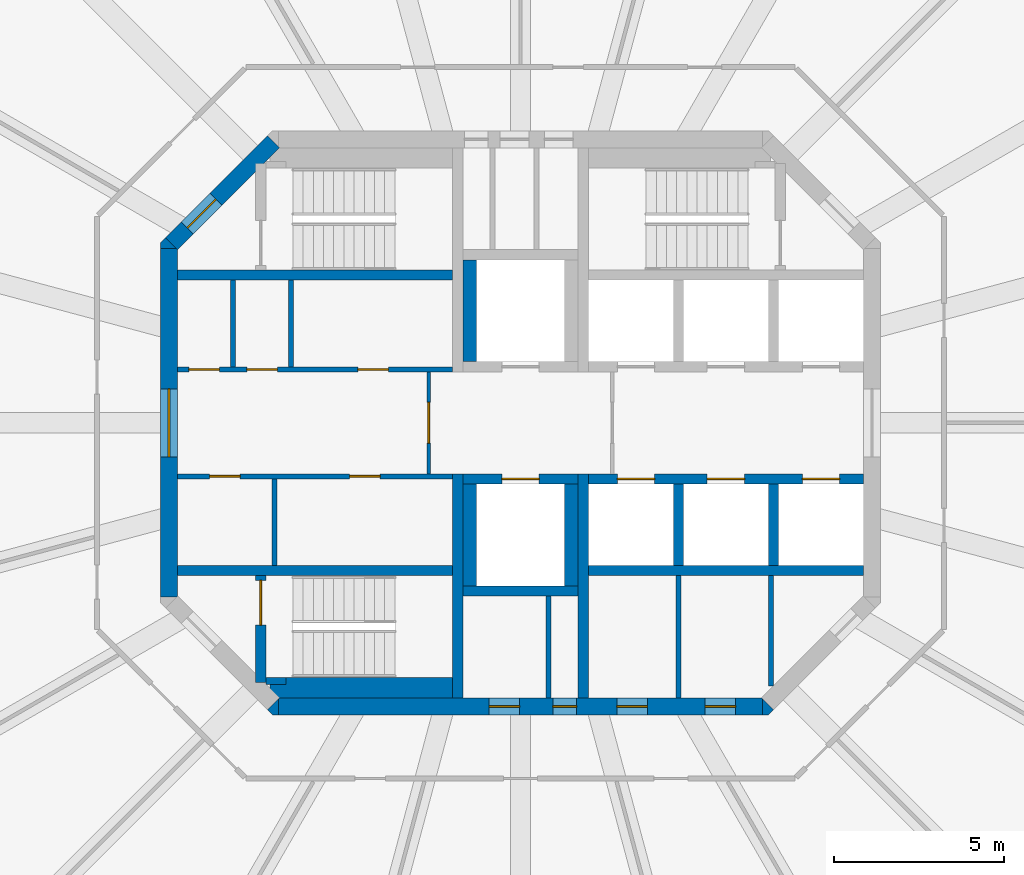
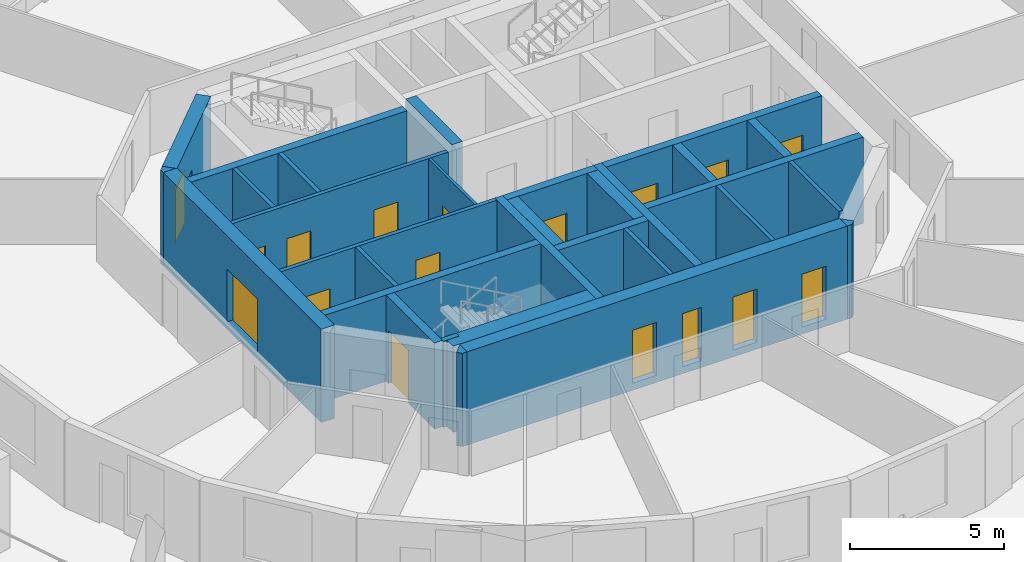
# One storey, part 3 of 8: 31 walls, 17 doors, 17 openings.
"""IFC4 building model written with IfcOpenShell, lengths in metres."""

from ifc_helpers import new_model, si_unit, direction, frame, frame_2d, origin, place, context, subcontext, project, spatial, polyline, rectangle, outline, extrude, material, layer, layer_set, type_object, element, fill, save


model = new_model("IFC4")

# Units and contexts
model_context = context("Model", 3, precision=1e-05, world=origin(), true_north=direction((0.0, 1.0)))
body_context = subcontext(model_context, "Body", "Model", "MODEL_VIEW")
ifc_project = project(units=[si_unit("LENGTHUNIT", "METRE"), si_unit("AREAUNIT", "SQUARE_METRE"), si_unit("VOLUMEUNIT", "CUBIC_METRE"), si_unit("PLANEANGLEUNIT", "RADIAN"), si_unit("MASSUNIT", "GRAM", prefix="KILO")], contexts=[model_context])

# Site, building, storey
site_placement = place(None, origin())
site = spatial("IfcSite", under=ifc_project, at=site_placement, CompositionType="ELEMENT")
building_placement = place(site_placement, origin())
building = spatial("IfcBuilding", under=site, at=building_placement, Name="Torre Triforio", CompositionType="ELEMENT")
storey_placement = place(building_placement, frame((0.0, 0.0, 257.5)))
storey = spatial("IfcBuildingStorey", under=building, at=storey_placement, Name="L59", CompositionType="ELEMENT", Elevation=257.5)

# Walls
ifc_material_1 = material(Name="Concrete C40", Category="concrete")
ifc_layer_1 = layer(ifc_material_1, 0.300048828125)
ifc_layer_set_1 = layer_set([ifc_layer_1], Name="Concrete C40")
wall_type_1 = type_object("IfcWallType", Name="Core wall 300 mm C40 EI 120", PredefinedType="SHEAR", material=ifc_layer_set_1)
for number, where, z_axis, x_axis, name in (
    (1, (-1.85009765625, -8.10009765625, 0.0), (0.0, 0.0, 1.0), (0.0, 1.0, 0.0), "Core wall"),
    (2, (1.85009765625, -8.10009765625, 0.0), (0.0, 0.0, 1.0), (0.0, 1.0, 0.0), "Core wall"),
):
    element("IfcWall", number, at=place(storey_placement, frame(where, z_axis=z_axis, x_axis=x_axis)), inside=storey, type_object=wall_type_1, Name=name, PredefinedType="SHEAR", context=body_context, shape_type="SweptSolid", body=[
        extrude(rectangle(XDim=6.60009765625, YDim=0.300048828125, at=frame_2d((3.300048828125, 0.0))), origin(), (0.0, 0.0, 1.0), 3.419921875),
    ])

# Wall, openings, doors
ifc_layer_2 = layer(ifc_material_1, 0.5)
ifc_layer_set_2 = layer_set([ifc_layer_2], Name="Concrete C40")
wall_type_2 = type_object("IfcWallType", Name="Core wall 500 mm C40 EI 120", PredefinedType="SHEAR", material=ifc_layer_set_2)
wall_1_placement = place(storey_placement, frame((-7.1298828125, -8.35009765625, -0.280029296875), z_axis=(0.0, 0.0, 1.0), x_axis=(1.0, 0.0, 0.0)))
wall_1 = element("IfcWall", 3, at=wall_1_placement, inside=storey, type_object=wall_type_2, Name="Core wall", PredefinedType="SHEAR", context=body_context, shape_type="SweptSolid", body=[
    extrude(rectangle(XDim=14.259765625, YDim=0.5, at=frame_2d((7.1298828125, 0.0))), origin(), (0.0, 0.0, 1.0), 3.699951171875),
])
opening_1_placement = place(wall_1_placement, frame((8.080078125, 0.0, 0.280029296875)))
opening_1 = element("IfcOpeningElement", 4, at=opening_1_placement, cuts=wall_1, Name="Opening RISER-S", PredefinedType="OPENING", context=body_context, shape_type="SweptSolid", body=[
    extrude(rectangle(XDim=0.699951171875, YDim=2.10009765625, at=frame_2d((0.35009765625, 1.050048828125))), frame((0.0, 0.260009765625, 0.0), z_axis=(0.0, -1.0, 0.0), x_axis=(1.0, 0.0, 0.0)), (0.0, 0.0, 1.0), 0.52001953125),
])
opening_2_placement = place(wall_1_placement, frame((6.205078125, 0.0, 0.280029296875)))
opening_2 = element("IfcOpeningElement", 5, at=opening_2_placement, cuts=wall_1, Name="Opening SW-01B", PredefinedType="OPENING", context=body_context, shape_type="SweptSolid", body=[
    extrude(rectangle(XDim=0.89990234375, YDim=2.10009765625, at=frame_2d((0.449951171875, 1.050048828125))), frame((0.0, 0.260009765625, 0.0), z_axis=(0.0, -1.0, 0.0), x_axis=(1.0, 0.0, 0.0)), (0.0, 0.0, 1.0), 0.52001953125),
])
opening_3_placement = place(wall_1_placement, frame((9.967041015625, 0.0, 0.280029296875)))
opening_3 = element("IfcOpeningElement", 6, at=opening_3_placement, cuts=wall_1, Name="Opening SE-01A", PredefinedType="OPENING", context=body_context, shape_type="SweptSolid", body=[
    extrude(rectangle(XDim=0.89990234375, YDim=2.10009765625, at=frame_2d((0.449951171875, 1.050048828125))), frame((0.0, 0.260009765625, 0.0), z_axis=(0.0, -1.0, 0.0), x_axis=(1.0, 0.0, 0.0)), (0.0, 0.0, 1.0), 0.52001953125),
])
opening_4_placement = place(wall_1_placement, frame((12.56689453125, 0.0, 0.280029296875)))
opening_4 = element("IfcOpeningElement", 7, at=opening_4_placement, cuts=wall_1, Name="Opening SE-02", PredefinedType="OPENING", context=body_context, shape_type="SweptSolid", body=[
    extrude(rectangle(XDim=0.89990234375, YDim=2.10009765625, at=frame_2d((0.449951171875, 1.050048828125))), frame((0.0, 0.260009765625, 0.0), z_axis=(0.0, -1.0, 0.0), x_axis=(1.0, 0.0, 0.0)), (0.0, 0.0, 1.0), 0.52001953125),
])
ifc_material_2 = material(Name="Hollow metal fire door leaf")
door_type_1 = type_object("IfcDoorType", Name="Riser door 700 x 2100 EI 60", OperationType="NOTDEFINED", PredefinedType="DOOR", material=ifc_material_2)
door_1_placement = place(opening_1_placement, origin())
door_1 = element("IfcDoor", 8, at=door_1_placement, inside=storey, type_object=door_type_1, Name="Core door RISER-S", OperationType="SINGLE_SWING_RIGHT", OverallHeight=2.10009765625, OverallWidth=0.699951171875, PredefinedType="DOOR", context=body_context, shape_type="SweptSolid", body=[
    extrude(rectangle(XDim=0.699951171875, YDim=2.10009765625, at=frame_2d((0.35009765625, 1.050048828125))), frame((0.0, 0.02490234375, 0.0), z_axis=(0.0, -1.0, 0.0), x_axis=(1.0, 0.0, 0.0)), (0.0, 0.0, 1.0), 0.050048828125),
])
fill(opening_1, door_1)
door_type_2 = type_object("IfcDoorType", Name="Room door 900 x 2100 EI 60", OperationType="NOTDEFINED", PredefinedType="DOOR", material=ifc_material_2)
door_2_placement = place(opening_2_placement, origin())
door_2 = element("IfcDoor", 9, at=door_2_placement, inside=storey, type_object=door_type_2, Name="Core door SW-01", OperationType="SINGLE_SWING_LEFT", OverallHeight=2.10009765625, OverallWidth=0.89990234375, PredefinedType="DOOR", context=body_context, shape_type="SweptSolid", body=[
    extrude(rectangle(XDim=0.89990234375, YDim=2.10009765625, at=frame_2d((0.449951171875, 1.050048828125))), frame((0.0, 0.02490234375, 0.0), z_axis=(0.0, -1.0, 0.0), x_axis=(1.0, 0.0, 0.0)), (0.0, 0.0, 1.0), 0.050048828125),
])
fill(opening_2, door_2)
door_3_placement = place(opening_3_placement, origin())
door_3 = element("IfcDoor", 10, at=door_3_placement, inside=storey, type_object=door_type_2, Name="Core door SE-01", OperationType="SINGLE_SWING_LEFT", OverallHeight=2.10009765625, OverallWidth=0.89990234375, PredefinedType="DOOR", context=body_context, shape_type="SweptSolid", body=[
    extrude(rectangle(XDim=0.89990234375, YDim=2.10009765625, at=frame_2d((0.449951171875, 1.050048828125))), frame((0.0, 0.02490234375, 0.0), z_axis=(0.0, -1.0, 0.0), x_axis=(1.0, 0.0, 0.0)), (0.0, 0.0, 1.0), 0.050048828125),
])
fill(opening_3, door_3)
door_4_placement = place(opening_4_placement, origin())
door_4 = element("IfcDoor", 11, at=door_4_placement, inside=storey, type_object=door_type_2, Name="Core door SE-02", OperationType="SINGLE_SWING_LEFT", OverallHeight=2.10009765625, OverallWidth=0.89990234375, PredefinedType="DOOR", context=body_context, shape_type="SweptSolid", body=[
    extrude(rectangle(XDim=0.89990234375, YDim=2.10009765625, at=frame_2d((0.449951171875, 1.050048828125))), frame((0.0, 0.02490234375, 0.0), z_axis=(0.0, -1.0, 0.0), x_axis=(1.0, 0.0, 0.0)), (0.0, 0.0, 1.0), 0.050048828125),
])
fill(opening_4, door_4)

# Wall, opening, door
wall_2_placement = place(storey_placement, frame((-10.35009765625, -5.1298828125, -0.280029296875), z_axis=(0.0, 0.0, 1.0), x_axis=(0.0, 1.0, 0.0)))
wall_2 = element("IfcWall", 12, at=wall_2_placement, inside=storey, type_object=wall_type_2, Name="Core wall", PredefinedType="SHEAR", context=body_context, shape_type="SweptSolid", body=[
    extrude(rectangle(XDim=10.259765625, YDim=0.5, at=frame_2d((5.1298828125, 0.0))), origin(), (0.0, 0.0, 1.0), 3.699951171875),
])
opening_5_placement = place(wall_2_placement, frame((4.1298828125, 0.0, 0.280029296875)))
opening_5 = element("IfcOpeningElement", 13, at=opening_5_placement, cuts=wall_2, Name="Opening W-RING", PredefinedType="OPENING", context=body_context, shape_type="SweptSolid", body=[
    extrude(rectangle(XDim=2.0, YDim=2.10009765625, at=frame_2d((1.0, 1.050048828125))), frame((0.0, 0.260009765625, 0.0), z_axis=(0.0, -1.0, 0.0), x_axis=(1.0, 0.0, 0.0)), (0.0, 0.0, 1.0), 0.52001953125),
])
door_type_3 = type_object("IfcDoorType", Name="Lobby door 2000 x 2100 EI 60", OperationType="DOUBLE_DOOR_SINGLE_SWING", PredefinedType="DOOR", material=ifc_material_2)
door_5_placement = place(opening_5_placement, origin())
door_5 = element("IfcDoor", 14, at=door_5_placement, inside=storey, type_object=door_type_3, Name="Core door W-RING", OperationType="DOUBLE_DOOR_SINGLE_SWING", OverallHeight=2.10009765625, OverallWidth=2.0, PredefinedType="DOOR", context=body_context, shape_type="SweptSolid", body=[
    extrude(rectangle(XDim=2.0, YDim=2.10009765625, at=frame_2d((1.0, 1.050048828125))), frame((0.0, 0.02490234375, 0.0), z_axis=(0.0, -1.0, 0.0), x_axis=(1.0, 0.0, 0.0)), (0.0, 0.0, 1.0), 0.050048828125),
])
fill(opening_5, door_5)

wall_3_placement = place(storey_placement, frame((-10.27685546875, 5.27685546875, -0.280029296875), z_axis=(0.0, 0.0, 1.0), x_axis=(0.707106781187, 0.707106781187, 0.0)))
wall_3 = element("IfcWall", 15, at=wall_3_placement, inside=storey, type_object=wall_type_2, Name="Core wall", PredefinedType="SHEAR", context=body_context, shape_type="SweptSolid", body=[
    extrude(rectangle(XDim=4.24267578125, YDim=0.5, at=frame_2d((2.121337890625, 0.0))), origin(), (0.0, 0.0, 1.0), 3.699951171875),
])
opening_6_placement = place(wall_3_placement, frame((0.64990234375, 0.0, 0.280029296875)))
opening_6 = element("IfcOpeningElement", 16, at=opening_6_placement, cuts=wall_3, Name="Opening ST1-EXIT", PredefinedType="OPENING", context=body_context, shape_type="SweptSolid", body=[
    extrude(rectangle(XDim=1.199951171875, YDim=2.10009765625, at=frame_2d((0.60009765625, 1.050048828125))), frame((0.0, 0.260009765625, 0.0), z_axis=(0.0, -1.0, 0.0), x_axis=(1.0, 0.0, 0.0)), (0.0, 0.0, 1.0), 0.52001953125),
])
door_type_4 = type_object("IfcDoorType", Name="Stair lobby door 1200 x 2100 EI 60", OperationType="NOTDEFINED", PredefinedType="DOOR", material=ifc_material_2)
door_6_placement = place(opening_6_placement, origin())
door_6 = element("IfcDoor", 17, at=door_6_placement, inside=storey, type_object=door_type_4, Name="Core door ST1-EXIT", OperationType="SINGLE_SWING_RIGHT", OverallHeight=2.10009765625, OverallWidth=1.199951171875, PredefinedType="DOOR", context=body_context, shape_type="SweptSolid", body=[
    extrude(rectangle(XDim=1.199951171875, YDim=2.10009765625, at=frame_2d((0.60009765625, 1.050048828125))), frame((0.0, 0.02490234375, 0.0), z_axis=(0.0, -1.0, 0.0), x_axis=(1.0, 0.0, 0.0)), (0.0, 0.0, 1.0), 0.050048828125),
])
fill(opening_6, door_6)

# Walls
wall_4_placement = place(storey_placement, frame((0.0, 0.0, -0.280029296875)))
element("IfcWall", 18, at=wall_4_placement, inside=storey, type_object=wall_type_2, Name="Core wall", PredefinedType="SHEAR", context=body_context, shape_type="SweptSolid", body=[
    extrude(outline(polyline([(-7.30712890625, -8.60009765625), (-7.45361328125, -8.45361328125), (-7.1298828125, -8.1298828125), (-7.1298828125, -8.60009765625), (-7.30712890625, -8.60009765625)])), origin(), (0.0, 0.0, 1.0), 3.699951171875),
])
wall_5_placement = place(storey_placement, frame((0.0, 0.0, -0.280029296875)))
element("IfcWall", 19, at=wall_5_placement, inside=storey, type_object=wall_type_2, Name="Core wall", PredefinedType="SHEAR", context=body_context, shape_type="SweptSolid", body=[
    extrude(outline(polyline([(7.30712890625, -8.60009765625), (7.1298828125, -8.60009765625), (7.1298828125, -8.1298828125), (7.45361328125, -8.45361328125), (7.30712890625, -8.60009765625)])), origin(), (0.0, 0.0, 1.0), 3.699951171875),
])
wall_6_placement = place(storey_placement, frame((0.0, 0.0, -0.280029296875)))
element("IfcWall", 20, at=wall_6_placement, inside=storey, type_object=wall_type_2, Name="Core wall", PredefinedType="SHEAR", context=body_context, shape_type="SweptSolid", body=[
    extrude(outline(polyline([(-10.45361328125, 5.45361328125), (-10.1298828125, 5.1298828125), (-10.60009765625, 5.1298828125), (-10.60009765625, 5.30712890625), (-10.45361328125, 5.45361328125)])), origin(), (0.0, 0.0, 1.0), 3.699951171875),
])

# Wall, opening, door
ifc_material_3 = material(Name="Block and board partition")
ifc_layer_3 = layer(ifc_material_3, 0.10009765625)
ifc_layer_set_3 = layer_set([ifc_layer_3], Name="Block and board partition")
wall_type_3 = type_object("IfcWallType", Name="Partition 100 mm EI 120", PredefinedType="PARTITIONING", material=ifc_layer_set_3)
wall_7_placement = place(storey_placement, frame((-2.699951171875, -1.5, 0.0), z_axis=(0.0, 0.0, 1.0), x_axis=(0.0, 1.0, 0.0)))
wall_7 = element("IfcWall", 21, at=wall_7_placement, inside=storey, type_object=wall_type_3, Name="Partition", PredefinedType="PARTITIONING", context=body_context, shape_type="SweptSolid", body=[
    extrude(rectangle(XDim=3.0, YDim=0.10009765625, at=frame_2d((1.5, 0.0))), origin(), (0.0, 0.0, 1.0), 3.419921875),
])
opening_7_placement = place(wall_7_placement, frame((0.89990234375, 0.0, 0.0)))
opening_7 = element("IfcOpeningElement", 22, at=opening_7_placement, cuts=wall_7, Name="Opening FF-W", PredefinedType="OPENING", context=body_context, shape_type="SweptSolid", body=[
    extrude(rectangle(XDim=1.199951171875, YDim=2.10009765625, at=frame_2d((0.60009765625, 1.050048828125))), frame((0.0, 0.06005859375, 0.0), z_axis=(0.0, -1.0, 0.0), x_axis=(1.0, 0.0, 0.0)), (0.0, 0.0, 1.0), 0.1201171875),
])
door_type_5 = type_object("IfcDoorType", Name="Fire-fighting lobby door 1200 x 2100 EI 60", OperationType="NOTDEFINED", PredefinedType="DOOR", material=ifc_material_2)
door_7_placement = place(opening_7_placement, origin())
door_7 = element("IfcDoor", 23, at=door_7_placement, inside=storey, type_object=door_type_5, Name="Core door FF-W", OperationType="SINGLE_SWING_LEFT", OverallHeight=2.10009765625, OverallWidth=1.199951171875, PredefinedType="DOOR", context=body_context, shape_type="SweptSolid", body=[
    extrude(rectangle(XDim=1.199951171875, YDim=2.10009765625, at=frame_2d((0.60009765625, 1.050048828125))), frame((0.0, 0.02490234375, 0.0), z_axis=(0.0, -1.0, 0.0), x_axis=(1.0, 0.0, 0.0)), (0.0, 0.0, 1.0), 0.050048828125),
])
fill(opening_7, door_7)

# Walls
ifc_layer_4 = layer(ifc_material_3, 0.14990234375)
ifc_layer_set_4 = layer_set([ifc_layer_4], Name="Block and board partition")
wall_type_4 = type_object("IfcWallType", Name="Partition 150 mm", PredefinedType="PARTITIONING", material=ifc_layer_set_4)
wall_8_placement = place(storey_placement, frame((4.64892578125, -8.10009765625, 0.0), z_axis=(0.0, 0.0, 1.0), x_axis=(0.0, 1.0, 0.0)))
element("IfcWall", 24, at=wall_8_placement, inside=storey, type_object=wall_type_4, Name="Partition", PredefinedType="PARTITIONING", context=body_context, shape_type="SweptSolid", body=[
    extrude(rectangle(XDim=3.60009765625, YDim=0.14990234375, at=frame_2d((1.800048828125, 0.0))), origin(), (0.0, 0.0, 1.0), 3.419921875),
])
wall_9_placement = place(storey_placement, frame((7.373046875, -7.751953125, 0.0), z_axis=(0.0, 0.0, 1.0), x_axis=(0.0, 1.0, 0.0)))
element("IfcWall", 25, at=wall_9_placement, inside=storey, type_object=wall_type_4, Name="Partition", PredefinedType="PARTITIONING", context=body_context, shape_type="SweptSolid", body=[
    extrude(rectangle(XDim=3.251953125, YDim=0.14990234375, at=frame_2d((1.6259765625, 0.0))), origin(), (0.0, 0.0, 1.0), 3.419921875),
])
for number, where, z_axis, x_axis, name in (
    (26, (-8.465087890625, 1.64990234375, 0.0), (0.0, 0.0, 1.0), (0.0, 1.0, 0.0), "Partition"),
    (27, (-6.7548828125, 1.64990234375, 0.0), (0.0, 0.0, 1.0), (0.0, 1.0, 0.0), "Partition"),
    (28, (-7.242431640625, -4.199951171875, 0.0), (0.0, 0.0, 1.0), (0.0, 1.0, 0.0), "Partition"),
):
    element("IfcWall", number, at=place(storey_placement, frame(where, z_axis=z_axis, x_axis=x_axis)), inside=storey, type_object=wall_type_4, Name=name, PredefinedType="PARTITIONING", context=body_context, shape_type="SweptSolid", body=[
        extrude(rectangle(XDim=2.550048828125, YDim=0.14990234375, at=frame_2d((1.27490234375, 0.0))), origin(), (0.0, 0.0, 1.0), 3.419921875),
    ])
ifc_layer_5 = layer(ifc_material_3, 0.14990234375)
ifc_layer_set_5 = layer_set([ifc_layer_5], Name="Block and board partition")
wall_type_5 = type_object("IfcWallType", Name="Partition 150 mm EI 120", PredefinedType="PARTITIONING", material=ifc_layer_set_5)
wall_10_placement = place(storey_placement, frame((0.824951171875, -8.10009765625, 0.0), z_axis=(0.0, 0.0, 1.0), x_axis=(0.0, 1.0, 0.0)))
element("IfcWall", 29, at=wall_10_placement, inside=storey, type_object=wall_type_5, Name="Partition", PredefinedType="PARTITIONING", context=body_context, shape_type="SweptSolid", body=[
    extrude(rectangle(XDim=3.0, YDim=0.14990234375, at=frame_2d((1.5, 0.0))), origin(), (0.0, 0.0, 1.0), 3.419921875),
])

# Wall, openings, doors
wall_11_placement = place(storey_placement, frame((-10.10009765625, 1.574951171875, 0.0), z_axis=(0.0, 0.0, 1.0), x_axis=(1.0, 0.0, 0.0)))
wall_11 = element("IfcWall", 30, at=wall_11_placement, inside=storey, type_object=wall_type_5, Name="Partition", PredefinedType="PARTITIONING", context=body_context, shape_type="SweptSolid", body=[
    extrude(rectangle(XDim=8.10009765625, YDim=0.14990234375, at=frame_2d((4.050048828125, 0.0))), origin(), (0.0, 0.0, 1.0), 3.419921875),
])
opening_8_placement = place(wall_11_placement, frame((0.330078125, 0.0, 0.0)))
opening_8 = element("IfcOpeningElement", 31, at=opening_8_placement, cuts=wall_11, Name="Opening FN-01", PredefinedType="OPENING", context=body_context, shape_type="SweptSolid", body=[
    extrude(rectangle(XDim=0.89990234375, YDim=2.10009765625, at=frame_2d((0.449951171875, 1.050048828125))), frame((0.0, 0.0849609375, 0.0), z_axis=(0.0, -1.0, 0.0), x_axis=(1.0, 0.0, 0.0)), (0.0, 0.0, 1.0), 0.169921875),
])
opening_9_placement = place(wall_11_placement, frame((2.0400390625, 0.0, 0.0)))
opening_9 = element("IfcOpeningElement", 32, at=opening_9_placement, cuts=wall_11, Name="Opening FN-02", PredefinedType="OPENING", context=body_context, shape_type="SweptSolid", body=[
    extrude(rectangle(XDim=0.89990234375, YDim=2.10009765625, at=frame_2d((0.449951171875, 1.050048828125))), frame((0.0, 0.0849609375, 0.0), z_axis=(0.0, -1.0, 0.0), x_axis=(1.0, 0.0, 0.0)), (0.0, 0.0, 1.0), 0.169921875),
])
opening_10_placement = place(wall_11_placement, frame((5.31005859375, 0.0, 0.0)))
opening_10 = element("IfcOpeningElement", 33, at=opening_10_placement, cuts=wall_11, Name="Opening FN-03", PredefinedType="OPENING", context=body_context, shape_type="SweptSolid", body=[
    extrude(rectangle(XDim=0.89990234375, YDim=2.10009765625, at=frame_2d((0.449951171875, 1.050048828125))), frame((0.0, 0.0849609375, 0.0), z_axis=(0.0, -1.0, 0.0), x_axis=(1.0, 0.0, 0.0)), (0.0, 0.0, 1.0), 0.169921875),
])
door_8_placement = place(opening_8_placement, origin())
door_8 = element("IfcDoor", 34, at=door_8_placement, inside=storey, type_object=door_type_2, Name="Core door FN-01", OperationType="SINGLE_SWING_RIGHT", OverallHeight=2.10009765625, OverallWidth=0.89990234375, PredefinedType="DOOR", context=body_context, shape_type="SweptSolid", body=[
    extrude(rectangle(XDim=0.89990234375, YDim=2.10009765625, at=frame_2d((0.449951171875, 1.050048828125))), frame((0.0, 0.02490234375, 0.0), z_axis=(0.0, -1.0, 0.0), x_axis=(1.0, 0.0, 0.0)), (0.0, 0.0, 1.0), 0.050048828125),
])
fill(opening_8, door_8)
door_9_placement = place(opening_9_placement, origin())
door_9 = element("IfcDoor", 35, at=door_9_placement, inside=storey, type_object=door_type_2, Name="Core door FN-02", OperationType="SINGLE_SWING_RIGHT", OverallHeight=2.10009765625, OverallWidth=0.89990234375, PredefinedType="DOOR", context=body_context, shape_type="SweptSolid", body=[
    extrude(rectangle(XDim=0.89990234375, YDim=2.10009765625, at=frame_2d((0.449951171875, 1.050048828125))), frame((0.0, 0.02490234375, 0.0), z_axis=(0.0, -1.0, 0.0), x_axis=(1.0, 0.0, 0.0)), (0.0, 0.0, 1.0), 0.050048828125),
])
fill(opening_9, door_9)
door_10_placement = place(opening_10_placement, origin())
door_10 = element("IfcDoor", 36, at=door_10_placement, inside=storey, type_object=door_type_2, Name="Core door FN-03", OperationType="SINGLE_SWING_RIGHT", OverallHeight=2.10009765625, OverallWidth=0.89990234375, PredefinedType="DOOR", context=body_context, shape_type="SweptSolid", body=[
    extrude(rectangle(XDim=0.89990234375, YDim=2.10009765625, at=frame_2d((0.449951171875, 1.050048828125))), frame((0.0, 0.02490234375, 0.0), z_axis=(0.0, -1.0, 0.0), x_axis=(1.0, 0.0, 0.0)), (0.0, 0.0, 1.0), 0.050048828125),
])
fill(opening_10, door_10)

wall_12_placement = place(storey_placement, frame((-10.10009765625, -1.574951171875, 0.0), z_axis=(0.0, 0.0, 1.0), x_axis=(1.0, 0.0, 0.0)))
wall_12 = element("IfcWall", 37, at=wall_12_placement, inside=storey, type_object=wall_type_5, Name="Partition", PredefinedType="PARTITIONING", context=body_context, shape_type="SweptSolid", body=[
    extrude(rectangle(XDim=8.10009765625, YDim=0.14990234375, at=frame_2d((4.050048828125, 0.0))), origin(), (0.0, 0.0, 1.0), 3.419921875),
])
opening_11_placement = place(wall_12_placement, frame((0.941162109375, 0.0, 0.0)))
opening_11 = element("IfcOpeningElement", 38, at=opening_11_placement, cuts=wall_12, Name="Opening FS-01", PredefinedType="OPENING", context=body_context, shape_type="SweptSolid", body=[
    extrude(rectangle(XDim=0.89990234375, YDim=2.10009765625, at=frame_2d((0.449951171875, 1.050048828125))), frame((0.0, 0.0849609375, 0.0), z_axis=(0.0, -1.0, 0.0), x_axis=(1.0, 0.0, 0.0)), (0.0, 0.0, 1.0), 0.169921875),
])
opening_12_placement = place(wall_12_placement, frame((5.066162109375, 0.0, 0.0)))
opening_12 = element("IfcOpeningElement", 39, at=opening_12_placement, cuts=wall_12, Name="Opening FS-02", PredefinedType="OPENING", context=body_context, shape_type="SweptSolid", body=[
    extrude(rectangle(XDim=0.89990234375, YDim=2.10009765625, at=frame_2d((0.449951171875, 1.050048828125))), frame((0.0, 0.0849609375, 0.0), z_axis=(0.0, -1.0, 0.0), x_axis=(1.0, 0.0, 0.0)), (0.0, 0.0, 1.0), 0.169921875),
])
door_11_placement = place(opening_11_placement, origin())
door_11 = element("IfcDoor", 40, at=door_11_placement, inside=storey, type_object=door_type_2, Name="Core door FS-01", OperationType="SINGLE_SWING_LEFT", OverallHeight=2.10009765625, OverallWidth=0.89990234375, PredefinedType="DOOR", context=body_context, shape_type="SweptSolid", body=[
    extrude(rectangle(XDim=0.89990234375, YDim=2.10009765625, at=frame_2d((0.449951171875, 1.050048828125))), frame((0.0, 0.02490234375, 0.0), z_axis=(0.0, -1.0, 0.0), x_axis=(1.0, 0.0, 0.0)), (0.0, 0.0, 1.0), 0.050048828125),
])
fill(opening_11, door_11)
door_12_placement = place(opening_12_placement, origin())
door_12 = element("IfcDoor", 41, at=door_12_placement, inside=storey, type_object=door_type_2, Name="Core door FS-02", OperationType="SINGLE_SWING_LEFT", OverallHeight=2.10009765625, OverallWidth=0.89990234375, PredefinedType="DOOR", context=body_context, shape_type="SweptSolid", body=[
    extrude(rectangle(XDim=0.89990234375, YDim=2.10009765625, at=frame_2d((0.449951171875, 1.050048828125))), frame((0.0, 0.02490234375, 0.0), z_axis=(0.0, -1.0, 0.0), x_axis=(1.0, 0.0, 0.0)), (0.0, 0.0, 1.0), 0.050048828125),
])
fill(opening_12, door_12)

# Walls
ifc_layer_6 = layer(ifc_material_1, 0.300048828125)
ifc_layer_set_6 = layer_set([ifc_layer_6], Name="Concrete C40")
wall_type_6 = type_object("IfcWallType", Name="Shaft wall 300 mm C40 EI 120", PredefinedType="SOLIDWALL", material=ifc_layer_set_6)
for number, where, z_axis, x_axis, name in (
    (42, (-10.10009765625, 4.35009765625, 0.0), (0.0, 0.0, 1.0), (1.0, 0.0, 0.0), "Shaft wall"),
    (43, (-10.10009765625, -4.35009765625, 0.0), (0.0, 0.0, 1.0), (1.0, 0.0, 0.0), "Shaft wall"),
    (44, (2.0, -4.35009765625, 0.0), (0.0, 0.0, 1.0), (1.0, 0.0, 0.0), "Shaft wall"),
):
    element("IfcWall", number, at=place(storey_placement, frame(where, z_axis=z_axis, x_axis=x_axis)), inside=storey, type_object=wall_type_6, Name=name, PredefinedType="SOLIDWALL", context=body_context, shape_type="SweptSolid", body=[
        extrude(rectangle(XDim=8.10009765625, YDim=0.300048828125, at=frame_2d((4.050048828125, 0.0))), origin(), (0.0, 0.0, 1.0), 3.419921875),
    ])

# Wall, openings, doors
wall_13_placement = place(storey_placement, frame((2.0, -1.64990234375, 0.0), z_axis=(0.0, 0.0, 1.0), x_axis=(1.0, 0.0, 0.0)))
wall_13 = element("IfcWall", 45, at=wall_13_placement, inside=storey, type_object=wall_type_6, Name="Shaft wall", PredefinedType="SOLIDWALL", context=body_context, shape_type="SweptSolid", body=[
    extrude(rectangle(XDim=8.10009765625, YDim=0.300048828125, at=frame_2d((4.050048828125, 0.0))), origin(), (0.0, 0.0, 1.0), 3.419921875),
])
opening_13_placement = place(wall_13_placement, frame((0.85009765625, 0.0, 0.0)))
opening_13 = element("IfcOpeningElement", 46, at=opening_13_placement, cuts=wall_13, Name="Opening LD", PredefinedType="OPENING", context=body_context, shape_type="SweptSolid", body=[
    extrude(rectangle(XDim=1.10009765625, YDim=2.10009765625, at=frame_2d((0.550048828125, 1.050048828125))), frame((0.0, 0.159912109375, 0.0), z_axis=(0.0, -1.0, 0.0), x_axis=(1.0, 0.0, 0.0)), (0.0, 0.0, 1.0), 0.320068359375),
])
opening_14_placement = place(wall_13_placement, frame((3.5, 0.0, 0.0)))
opening_14 = element("IfcOpeningElement", 47, at=opening_14_placement, cuts=wall_13, Name="Opening LD", PredefinedType="OPENING", context=body_context, shape_type="SweptSolid", body=[
    extrude(rectangle(XDim=1.10009765625, YDim=2.10009765625, at=frame_2d((0.550048828125, 1.050048828125))), frame((0.0, 0.159912109375, 0.0), z_axis=(0.0, -1.0, 0.0), x_axis=(1.0, 0.0, 0.0)), (0.0, 0.0, 1.0), 0.320068359375),
])
opening_15_placement = place(wall_13_placement, frame((6.300048828125, 0.0, 0.0)))
opening_15 = element("IfcOpeningElement", 48, at=opening_15_placement, cuts=wall_13, Name="Opening LD", PredefinedType="OPENING", context=body_context, shape_type="SweptSolid", body=[
    extrude(rectangle(XDim=1.10009765625, YDim=2.10009765625, at=frame_2d((0.550048828125, 1.050048828125))), frame((0.0, 0.159912109375, 0.0), z_axis=(0.0, -1.0, 0.0), x_axis=(1.0, 0.0, 0.0)), (0.0, 0.0, 1.0), 0.320068359375),
])
door_type_6 = type_object("IfcDoorType", Name="Landing door 1100 x 2100 EI 60", OperationType="DOUBLE_DOOR_SLIDING", PredefinedType="DOOR", material=ifc_material_2)
door_13_placement = place(opening_13_placement, origin())
door_13 = element("IfcDoor", 49, at=door_13_placement, inside=storey, type_object=door_type_6, Name="Landing door HR4", OperationType="DOUBLE_DOOR_SLIDING", OverallHeight=2.10009765625, OverallWidth=1.10009765625, PredefinedType="DOOR", context=body_context, shape_type="SweptSolid", body=[
    extrude(rectangle(XDim=1.10009765625, YDim=2.10009765625, at=frame_2d((0.550048828125, 1.050048828125))), frame((0.0, 0.02490234375, 0.0), z_axis=(0.0, -1.0, 0.0), x_axis=(1.0, 0.0, 0.0)), (0.0, 0.0, 1.0), 0.050048828125),
])
fill(opening_13, door_13)
door_14_placement = place(opening_14_placement, origin())
door_14 = element("IfcDoor", 50, at=door_14_placement, inside=storey, type_object=door_type_6, Name="Landing door HR5", OperationType="DOUBLE_DOOR_SLIDING", OverallHeight=2.10009765625, OverallWidth=1.10009765625, PredefinedType="DOOR", context=body_context, shape_type="SweptSolid", body=[
    extrude(rectangle(XDim=1.10009765625, YDim=2.10009765625, at=frame_2d((0.550048828125, 1.050048828125))), frame((0.0, 0.02490234375, 0.0), z_axis=(0.0, -1.0, 0.0), x_axis=(1.0, 0.0, 0.0)), (0.0, 0.0, 1.0), 0.050048828125),
])
fill(opening_14, door_14)
door_15_placement = place(opening_15_placement, origin())
door_15 = element("IfcDoor", 51, at=door_15_placement, inside=storey, type_object=door_type_6, Name="Landing door HR6", OperationType="DOUBLE_DOOR_SLIDING", OverallHeight=2.10009765625, OverallWidth=1.10009765625, PredefinedType="DOOR", context=body_context, shape_type="SweptSolid", body=[
    extrude(rectangle(XDim=1.10009765625, YDim=2.10009765625, at=frame_2d((0.550048828125, 1.050048828125))), frame((0.0, 0.02490234375, 0.0), z_axis=(0.0, -1.0, 0.0), x_axis=(1.0, 0.0, 0.0)), (0.0, 0.0, 1.0), 0.050048828125),
])
fill(opening_15, door_15)

# Walls
for number, where, z_axis, x_axis, name in (
    (52, (4.64990234375, -4.199951171875, 0.0), (0.0, 0.0, 1.0), (0.0, 1.0, 0.0), "Shaft wall"),
    (53, (7.449951171875, -4.199951171875, 0.0), (0.0, 0.0, 1.0), (0.0, 1.0, 0.0), "Shaft wall"),
):
    element("IfcWall", number, at=place(storey_placement, frame(where, z_axis=z_axis, x_axis=x_axis)), inside=storey, type_object=wall_type_6, Name=name, PredefinedType="SOLIDWALL", context=body_context, shape_type="SweptSolid", body=[
        extrude(rectangle(XDim=2.39990234375, YDim=0.300048828125, at=frame_2d((1.199951171875, 0.0))), origin(), (0.0, 0.0, 1.0), 3.419921875),
    ])

# Wall, opening, door
wall_14_placement = place(storey_placement, frame((-1.699951171875, -1.64990234375, 0.0), z_axis=(0.0, 0.0, 1.0), x_axis=(1.0, 0.0, 0.0)))
wall_14 = element("IfcWall", 54, at=wall_14_placement, inside=storey, type_object=wall_type_6, Name="Shaft wall", PredefinedType="SOLIDWALL", context=body_context, shape_type="SweptSolid", body=[
    extrude(rectangle(XDim=3.39990234375, YDim=0.300048828125, at=frame_2d((1.699951171875, 0.0))), origin(), (0.0, 0.0, 1.0), 3.419921875),
])
opening_16_placement = place(wall_14_placement, frame((1.14990234375, 0.0, 0.0)))
opening_16 = element("IfcOpeningElement", 55, at=opening_16_placement, cuts=wall_14, Name="Opening LD", PredefinedType="OPENING", context=body_context, shape_type="SweptSolid", body=[
    extrude(rectangle(XDim=1.10009765625, YDim=2.10009765625, at=frame_2d((0.550048828125, 1.050048828125))), frame((0.0, 0.159912109375, 0.0), z_axis=(0.0, -1.0, 0.0), x_axis=(1.0, 0.0, 0.0)), (0.0, 0.0, 1.0), 0.320068359375),
])
door_16_placement = place(opening_16_placement, origin())
door_16 = element("IfcDoor", 56, at=door_16_placement, inside=storey, type_object=door_type_6, Name="Landing door FFL2", OperationType="DOUBLE_DOOR_SLIDING", OverallHeight=2.10009765625, OverallWidth=1.10009765625, PredefinedType="DOOR", context=body_context, shape_type="SweptSolid", body=[
    extrude(rectangle(XDim=1.10009765625, YDim=2.10009765625, at=frame_2d((0.550048828125, 1.050048828125))), frame((0.0, 0.02490234375, 0.0), z_axis=(0.0, -1.0, 0.0), x_axis=(1.0, 0.0, 0.0)), (0.0, 0.0, 1.0), 0.050048828125),
])
fill(opening_16, door_16)

# Walls
wall_15_placement = place(storey_placement, frame((-1.699951171875, -4.949951171875, 0.0), z_axis=(0.0, 0.0, 1.0), x_axis=(1.0, 0.0, 0.0)))
element("IfcWall", 57, at=wall_15_placement, inside=storey, type_object=wall_type_6, Name="Shaft wall", PredefinedType="SOLIDWALL", context=body_context, shape_type="SweptSolid", body=[
    extrude(rectangle(XDim=3.39990234375, YDim=0.300048828125, at=frame_2d((1.699951171875, 0.0))), origin(), (0.0, 0.0, 1.0), 3.419921875),
])
ifc_layer_7 = layer(ifc_material_1, 0.39990234375)
ifc_layer_set_7 = layer_set([ifc_layer_7], Name="Concrete C40")
wall_type_7 = type_object("IfcWallType", Name="Shaft wall 400 mm C40 EI 120", PredefinedType="SOLIDWALL", material=ifc_layer_set_7)
for number, where, z_axis, x_axis, name in (
    (58, (-1.5, 1.800048828125, 0.0), (0.0, 0.0, 1.0), (0.0, 1.0, 0.0), "Shaft wall"),
    (59, (-1.5, -4.800048828125, 0.0), (0.0, 0.0, 1.0), (0.0, 1.0, 0.0), "Shaft wall"),
    (60, (1.5, -4.800048828125, 0.0), (0.0, 0.0, 1.0), (0.0, 1.0, 0.0), "Shaft wall"),
):
    element("IfcWall", number, at=place(storey_placement, frame(where, z_axis=z_axis, x_axis=x_axis)), inside=storey, type_object=wall_type_7, Name=name, PredefinedType="SOLIDWALL", context=body_context, shape_type="SweptSolid", body=[
        extrude(rectangle(XDim=3.0, YDim=0.39990234375, at=frame_2d((1.5, 0.0))), origin(), (0.0, 0.0, 1.0), 3.419921875),
    ])
ifc_layer_8 = layer(ifc_material_1, 0.199951171875)
ifc_layer_set_8 = layer_set([ifc_layer_8], Name="Concrete C40")
wall_type_8 = type_object("IfcWallType", Name="Stair wall 200 mm C40 EI 120", PredefinedType="SHEAR", material=ifc_layer_set_8)
wall_16_placement = place(storey_placement, frame((-7.5, -7.60009765625, 0.0), z_axis=(0.0, 0.0, 1.0), x_axis=(1.0, 0.0, 0.0)))
element("IfcWall", 61, at=wall_16_placement, inside=storey, type_object=wall_type_8, Name="Stair wall", PredefinedType="SHEAR", context=body_context, shape_type="SweptSolid", body=[
    extrude(rectangle(XDim=0.60009765625, YDim=0.199951171875, at=frame_2d((0.300048828125, 0.0))), origin(), (0.0, 0.0, 1.0), 3.419921875),
])

# Wall, opening, door
ifc_layer_9 = layer(ifc_material_1, 0.300048828125)
ifc_layer_set_9 = layer_set([ifc_layer_9], Name="Concrete C40")
wall_type_9 = type_object("IfcWallType", Name="Stair wall 300 mm C40 EI 120", PredefinedType="SHEAR", material=ifc_layer_set_9)
wall_17_placement = place(storey_placement, frame((-7.64990234375, -7.639892578125, 0.0), z_axis=(0.0, 0.0, 1.0), x_axis=(0.0, 1.0, 0.0)))
wall_17 = element("IfcWall", 62, at=wall_17_placement, inside=storey, type_object=wall_type_9, Name="Stair wall", PredefinedType="SHEAR", context=body_context, shape_type="SweptSolid", body=[
    extrude(rectangle(XDim=3.139892578125, YDim=0.300048828125, at=frame_2d((1.56982421875, 0.0))), origin(), (0.0, 0.0, 1.0), 3.419921875),
])
opening_17_placement = place(wall_17_placement, frame((1.679931640625, 0.0, 0.0)))
opening_17 = element("IfcOpeningElement", 63, at=opening_17_placement, cuts=wall_17, Name="Opening ST3-STA", PredefinedType="OPENING", context=body_context, shape_type="SweptSolid", body=[
    extrude(rectangle(XDim=1.320068359375, YDim=2.10009765625, at=frame_2d((0.66015625, 1.050048828125))), frame((0.0, 0.159912109375, 0.0), z_axis=(0.0, -1.0, 0.0), x_axis=(1.0, 0.0, 0.0)), (0.0, 0.0, 1.0), 0.320068359375),
])
door_type_7 = type_object("IfcDoorType", Name="Stair door 1320 x 2100 EI 90", OperationType="DOUBLE_DOOR_SINGLE_SWING", PredefinedType="DOOR", material=ifc_material_2)
door_17_placement = place(opening_17_placement, origin())
door_17 = element("IfcDoor", 64, at=door_17_placement, inside=storey, type_object=door_type_7, Name="Core door ST3-ST", OperationType="DOUBLE_DOOR_SINGLE_SWING", OverallHeight=2.10009765625, OverallWidth=1.320068359375, PredefinedType="DOOR", context=body_context, shape_type="SweptSolid", body=[
    extrude(rectangle(XDim=1.320068359375, YDim=2.10009765625, at=frame_2d((0.66015625, 1.050048828125))), frame((0.0, 0.02490234375, 0.0), z_axis=(0.0, -1.0, 0.0), x_axis=(1.0, 0.0, 0.0)), (0.0, 0.0, 1.0), 0.050048828125),
])
fill(opening_17, door_17)

# Wall
ifc_layer_10 = layer(ifc_material_1, 0.60009765625)
ifc_layer_set_10 = layer_set([ifc_layer_10], Name="Concrete C40")
wall_type_10 = type_object("IfcWallType", Name="Stair wall 600 mm C40 EI 120", PredefinedType="SHEAR", material=ifc_layer_set_10)
wall_18_placement = place(storey_placement, frame((-7.3701171875, -7.800048828125, 0.0), z_axis=(0.0, 0.0, 1.0), x_axis=(1.0, 0.0, 0.0)))
element("IfcWall", 65, at=wall_18_placement, inside=storey, type_object=wall_type_10, Name="Stair wall", PredefinedType="SHEAR", context=body_context, shape_type="SweptSolid", body=[
    extrude(rectangle(XDim=5.3701171875, YDim=0.60009765625, at=frame_2d((2.68505859375, 0.0))), origin(), (0.0, 0.0, 1.0), 3.419921875),
])

save(model, "model.ifc")
